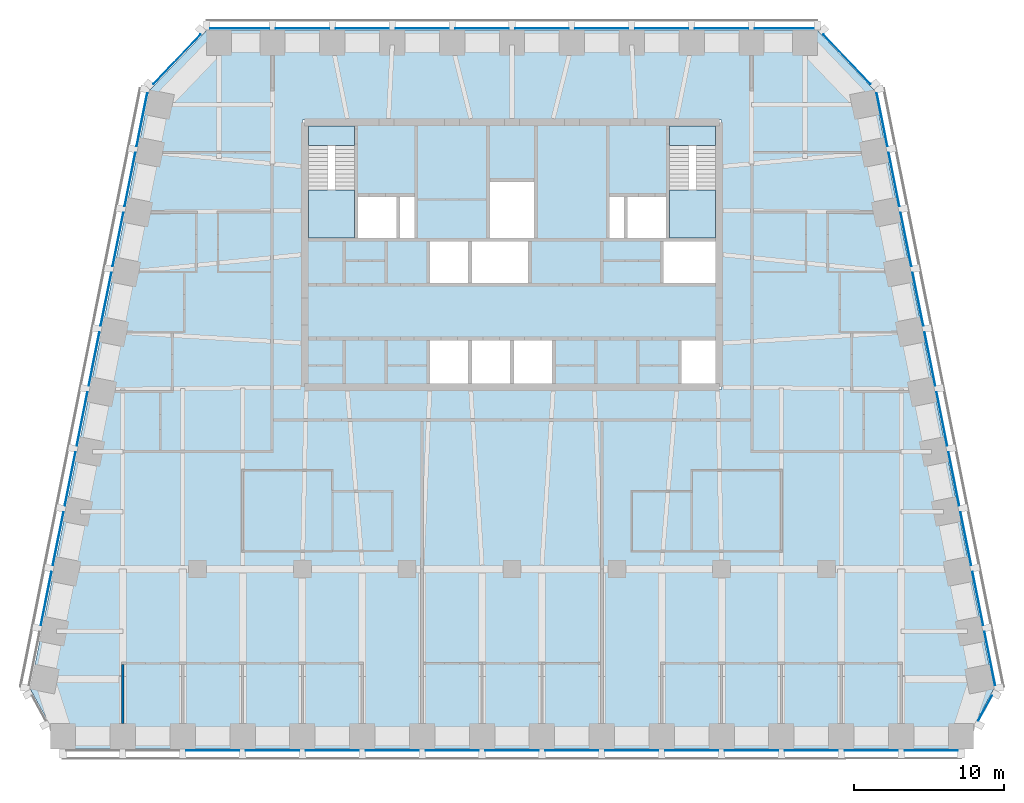
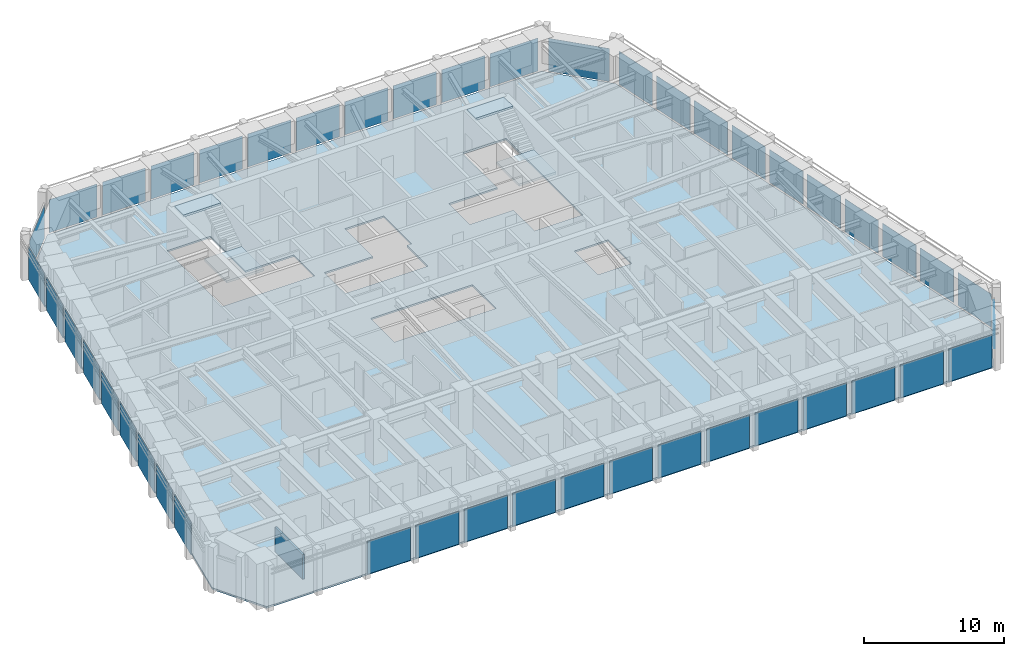
# One storey, part 5 of 12: 45 plates, 5 slabs, 1 wall, 9 elements without a shape of their own.
"""IFC4 building model written with IfcOpenShell, lengths in metres."""

from ifc_helpers import new_model, si_unit, direction, frame, frame_2d, origin, origin_2d, place, context, subcontext, project, spatial, polyline, rectangle, outline, extrude, material, layer, layer_set, type_object, element, aggregate, save


model = new_model("IFC4")

# Units and contexts
model_context = context("Model", 3, precision=1e-05, world=origin(), true_north=direction((0.0, 1.0)))
body_context = subcontext(model_context, "Body", "Model", "MODEL_VIEW")
ifc_project = project(units=[si_unit("LENGTHUNIT", "METRE"), si_unit("AREAUNIT", "SQUARE_METRE"), si_unit("VOLUMEUNIT", "CUBIC_METRE"), si_unit("PLANEANGLEUNIT", "RADIAN"), si_unit("MASSUNIT", "GRAM", prefix="KILO")], contexts=[model_context])

# Site, building, storey
site_placement = place(None, origin())
site = spatial("IfcSite", under=ifc_project, at=site_placement, CompositionType="ELEMENT")
building_placement = place(site_placement, origin())
building = spatial("IfcBuilding", under=site, at=building_placement, Name="Isbrekke Arena Tower", CompositionType="ELEMENT")
storey_placement = place(building_placement, frame((0.0, 0.0, 256.0)))
storey = spatial("IfcBuildingStorey", under=building, at=storey_placement, Name="L59", CompositionType="ELEMENT", Elevation=256.0)

# Curtain wall, plates
ifc_material_1 = material(Name="Glazed aluminium curtain wall", Category="aluminium")
curtain_wall_type = type_object("IfcCurtainWallType", Name="CWT TOWER CURTAIN WALL TOP ZONE", PredefinedType="USERDEFINED", material=ifc_material_1)
curtain_wall_1_placement = place(storey_placement, origin())
curtain_wall_1 = element("IfcCurtainWall", 1, at=curtain_wall_1_placement, inside=storey, type_object=curtain_wall_type, Name="CWT curtain wall L59-S", ObjectType="TOWER CURTAIN WALL TOP ZONE", PredefinedType="USERDEFINED")
ifc_material_2 = material(Name="Triple-glazed clear glass unit", Category="glass")
ifc_layer_1 = layer(ifc_material_2, 0.031982421875)
ifc_layer_set_1 = layer_set([ifc_layer_1], Name="CWT-P VISION PANEL")
plate_type = type_object("IfcPlateType", Name="CWT-P VISION PANEL", PredefinedType="CURTAIN_PANEL", material=ifc_layer_set_1)
plate_1_placement = place(storey_placement, frame((-20.0, -18.125, 0.02001953125), z_axis=(0.0, 0.0, 1.0), x_axis=(1.0, 0.0, 0.0)))
plate_1 = element("IfcPlate", 2, at=plate_1_placement, type_object=plate_type, Name="CWT-P panel 3", PredefinedType="CURTAIN_PANEL", context=body_context, shape_type="SweptSolid", body=[
    extrude(rectangle(XDim=3.550048828125, YDim=0.031982421875, at=origin_2d()), origin(), (0.0, 0.0, 1.0), 2.8798828125),
])
plate_2_placement = place(storey_placement, frame((-16.0, -18.125, 0.02001953125), z_axis=(0.0, 0.0, 1.0), x_axis=(1.0, 0.0, 0.0)))
plate_2 = element("IfcPlate", 3, at=plate_2_placement, type_object=plate_type, Name="CWT-P panel 4", PredefinedType="CURTAIN_PANEL", context=body_context, shape_type="SweptSolid", body=[
    extrude(rectangle(XDim=3.550048828125, YDim=0.031982421875, at=origin_2d()), origin(), (0.0, 0.0, 1.0), 2.8798828125),
])
plate_3_placement = place(storey_placement, frame((-12.0, -18.125, 0.02001953125), z_axis=(0.0, 0.0, 1.0), x_axis=(1.0, 0.0, 0.0)))
plate_3 = element("IfcPlate", 4, at=plate_3_placement, type_object=plate_type, Name="CWT-P panel 5", PredefinedType="CURTAIN_PANEL", context=body_context, shape_type="SweptSolid", body=[
    extrude(rectangle(XDim=3.550048828125, YDim=0.031982421875, at=origin_2d()), origin(), (0.0, 0.0, 1.0), 2.8798828125),
])
plate_4_placement = place(storey_placement, frame((-8.0, -18.125, 0.02001953125), z_axis=(0.0, 0.0, 1.0), x_axis=(1.0, 0.0, 0.0)))
plate_4 = element("IfcPlate", 5, at=plate_4_placement, type_object=plate_type, Name="CWT-P panel 6", PredefinedType="CURTAIN_PANEL", context=body_context, shape_type="SweptSolid", body=[
    extrude(rectangle(XDim=3.550048828125, YDim=0.031982421875, at=origin_2d()), origin(), (0.0, 0.0, 1.0), 2.8798828125),
])
plate_5_placement = place(storey_placement, frame((-4.0, -18.125, 0.02001953125), z_axis=(0.0, 0.0, 1.0), x_axis=(1.0, 0.0, 0.0)))
plate_5 = element("IfcPlate", 6, at=plate_5_placement, type_object=plate_type, Name="CWT-P panel 7", PredefinedType="CURTAIN_PANEL", context=body_context, shape_type="SweptSolid", body=[
    extrude(rectangle(XDim=3.550048828125, YDim=0.031982421875, at=origin_2d()), origin(), (0.0, 0.0, 1.0), 2.8798828125),
])
plate_6_placement = place(storey_placement, frame((0.0, -18.125, 0.02001953125), z_axis=(0.0, 0.0, 1.0), x_axis=(1.0, 0.0, 0.0)))
plate_6 = element("IfcPlate", 7, at=plate_6_placement, type_object=plate_type, Name="CWT-P panel 8", PredefinedType="CURTAIN_PANEL", context=body_context, shape_type="SweptSolid", body=[
    extrude(rectangle(XDim=3.550048828125, YDim=0.031982421875, at=origin_2d()), origin(), (0.0, 0.0, 1.0), 2.8798828125),
])
plate_7_placement = place(storey_placement, frame((4.0, -18.125, 0.02001953125), z_axis=(0.0, 0.0, 1.0), x_axis=(1.0, 0.0, 0.0)))
plate_7 = element("IfcPlate", 8, at=plate_7_placement, type_object=plate_type, Name="CWT-P panel 9", PredefinedType="CURTAIN_PANEL", context=body_context, shape_type="SweptSolid", body=[
    extrude(rectangle(XDim=3.550048828125, YDim=0.031982421875, at=origin_2d()), origin(), (0.0, 0.0, 1.0), 2.8798828125),
])
plate_8_placement = place(storey_placement, frame((8.0, -18.125, 0.02001953125), z_axis=(0.0, 0.0, 1.0), x_axis=(1.0, 0.0, 0.0)))
plate_8 = element("IfcPlate", 9, at=plate_8_placement, type_object=plate_type, Name="CWT-P panel 10", PredefinedType="CURTAIN_PANEL", context=body_context, shape_type="SweptSolid", body=[
    extrude(rectangle(XDim=3.550048828125, YDim=0.031982421875, at=origin_2d()), origin(), (0.0, 0.0, 1.0), 2.8798828125),
])
plate_9_placement = place(storey_placement, frame((12.0, -18.125, 0.02001953125), z_axis=(0.0, 0.0, 1.0), x_axis=(1.0, 0.0, 0.0)))
plate_9 = element("IfcPlate", 10, at=plate_9_placement, type_object=plate_type, Name="CWT-P panel 11", PredefinedType="CURTAIN_PANEL", context=body_context, shape_type="SweptSolid", body=[
    extrude(rectangle(XDim=3.550048828125, YDim=0.031982421875, at=origin_2d()), origin(), (0.0, 0.0, 1.0), 2.8798828125),
])
plate_10_placement = place(storey_placement, frame((16.0, -18.125, 0.02001953125), z_axis=(0.0, 0.0, 1.0), x_axis=(1.0, 0.0, 0.0)))
plate_10 = element("IfcPlate", 11, at=plate_10_placement, type_object=plate_type, Name="CWT-P panel 12", PredefinedType="CURTAIN_PANEL", context=body_context, shape_type="SweptSolid", body=[
    extrude(rectangle(XDim=3.550048828125, YDim=0.031982421875, at=origin_2d()), origin(), (0.0, 0.0, 1.0), 2.8798828125),
])
plate_11_placement = place(storey_placement, frame((20.0, -18.125, 0.02001953125), z_axis=(0.0, 0.0, 1.0), x_axis=(1.0, 0.0, 0.0)))
plate_11 = element("IfcPlate", 12, at=plate_11_placement, type_object=plate_type, Name="CWT-P panel 13", PredefinedType="CURTAIN_PANEL", context=body_context, shape_type="SweptSolid", body=[
    extrude(rectangle(XDim=3.550048828125, YDim=0.031982421875, at=origin_2d()), origin(), (0.0, 0.0, 1.0), 2.8798828125),
])
plate_12_placement = place(storey_placement, frame((24.0, -18.125, 0.02001953125), z_axis=(0.0, 0.0, 1.0), x_axis=(1.0, 0.0, 0.0)))
plate_12 = element("IfcPlate", 13, at=plate_12_placement, type_object=plate_type, Name="CWT-P panel 14", PredefinedType="CURTAIN_PANEL", context=body_context, shape_type="SweptSolid", body=[
    extrude(rectangle(XDim=3.550048828125, YDim=0.031982421875, at=origin_2d()), origin(), (0.0, 0.0, 1.0), 2.8798828125),
])
plate_13_placement = place(storey_placement, frame((28.0, -18.125, 0.02001953125), z_axis=(0.0, 0.0, 1.0), x_axis=(1.0, 0.0, 0.0)))
plate_13 = element("IfcPlate", 14, at=plate_13_placement, type_object=plate_type, Name="CWT-P panel 15", PredefinedType="CURTAIN_PANEL", context=body_context, shape_type="SweptSolid", body=[
    extrude(rectangle(XDim=3.550048828125, YDim=0.031982421875, at=origin_2d()), origin(), (0.0, 0.0, 1.0), 2.8798828125),
])
aggregate(curtain_wall_1, [plate_1, plate_2, plate_3, plate_4, plate_5, plate_6, plate_7, plate_8, plate_9, plate_10, plate_11, plate_12, plate_13])

# Curtain wall, plate
curtain_wall_2_placement = place(storey_placement, origin())
curtain_wall_2 = element("IfcCurtainWall", 15, at=curtain_wall_2_placement, inside=storey, type_object=curtain_wall_type, Name="CWT curtain wall L59-SE", ObjectType="TOWER CURTAIN WALL TOP ZONE", PredefinedType="USERDEFINED")
plate_14_placement = place(storey_placement, frame((31.604248046875, -15.29052734375, 0.02001953125), z_axis=(0.0, 0.0, 1.0), x_axis=(0.481918749773, 0.876215908676, 0.0)))
plate_14 = element("IfcPlate", 16, at=plate_14_placement, type_object=plate_type, Name="CWT-P panel 1", PredefinedType="CURTAIN_PANEL", context=body_context, shape_type="SweptSolid", body=[
    extrude(rectangle(XDim=1.876220703125, YDim=0.031982421875, at=origin_2d()), origin(), (0.0, 0.0, 1.0), 2.8798828125),
])
aggregate(curtain_wall_2, [plate_14])

# Curtain wall, plates
curtain_wall_3_placement = place(storey_placement, origin())
curtain_wall_3 = element("IfcCurtainWall", 17, at=curtain_wall_3_placement, inside=storey, type_object=curtain_wall_type, Name="CWT curtain wall L59-E", ObjectType="TOWER CURTAIN WALL TOP ZONE", PredefinedType="USERDEFINED")
plate_15_placement = place(storey_placement, frame((31.922607421875, -11.9755859375, 0.02001953125), z_axis=(0.0, 0.0, 1.0), x_axis=(-0.196116135138, 0.980580675691, 0.0)))
plate_15 = element("IfcPlate", 18, at=plate_15_placement, type_object=plate_type, Name="CWT-P panel 1", PredefinedType="CURTAIN_PANEL", context=body_context, shape_type="SweptSolid", body=[
    extrude(rectangle(XDim=3.629150390625, YDim=0.031982421875, at=origin_2d()), origin(), (0.0, 0.0, 1.0), 2.8798828125),
])
plate_16_placement = place(storey_placement, frame((31.12255859375, -7.9755859375, 0.02001953125), z_axis=(0.0, 0.0, 1.0), x_axis=(-0.196116135138, 0.980580675691, 0.0)))
plate_16 = element("IfcPlate", 19, at=plate_16_placement, type_object=plate_type, Name="CWT-P panel 2", PredefinedType="CURTAIN_PANEL", context=body_context, shape_type="SweptSolid", body=[
    extrude(rectangle(XDim=3.629150390625, YDim=0.031982421875, at=origin_2d()), origin(), (0.0, 0.0, 1.0), 2.8798828125),
])
plate_17_placement = place(storey_placement, frame((30.322509765625, -3.9755859375, 0.02001953125), z_axis=(0.0, 0.0, 1.0), x_axis=(-0.196116135138, 0.980580675691, 0.0)))
plate_17 = element("IfcPlate", 20, at=plate_17_placement, type_object=plate_type, Name="CWT-P panel 3", PredefinedType="CURTAIN_PANEL", context=body_context, shape_type="SweptSolid", body=[
    extrude(rectangle(XDim=3.629150390625, YDim=0.031982421875, at=origin_2d()), origin(), (0.0, 0.0, 1.0), 2.8798828125),
])
plate_18_placement = place(storey_placement, frame((29.5224609375, 0.0244140625, 0.02001953125), z_axis=(0.0, 0.0, 1.0), x_axis=(-0.196116135138, 0.980580675691, 0.0)))
plate_18 = element("IfcPlate", 21, at=plate_18_placement, type_object=plate_type, Name="CWT-P panel 4", PredefinedType="CURTAIN_PANEL", context=body_context, shape_type="SweptSolid", body=[
    extrude(rectangle(XDim=3.629150390625, YDim=0.031982421875, at=origin_2d()), origin(), (0.0, 0.0, 1.0), 2.8798828125),
])
plate_19_placement = place(storey_placement, frame((28.72265625, 4.0244140625, 0.02001953125), z_axis=(0.0, 0.0, 1.0), x_axis=(-0.196116135138, 0.980580675691, 0.0)))
plate_19 = element("IfcPlate", 22, at=plate_19_placement, type_object=plate_type, Name="CWT-P panel 5", PredefinedType="CURTAIN_PANEL", context=body_context, shape_type="SweptSolid", body=[
    extrude(rectangle(XDim=3.629150390625, YDim=0.031982421875, at=origin_2d()), origin(), (0.0, 0.0, 1.0), 2.8798828125),
])
plate_20_placement = place(storey_placement, frame((27.922607421875, 8.0244140625, 0.02001953125), z_axis=(0.0, 0.0, 1.0), x_axis=(-0.196116135138, 0.980580675691, 0.0)))
plate_20 = element("IfcPlate", 23, at=plate_20_placement, type_object=plate_type, Name="CWT-P panel 6", PredefinedType="CURTAIN_PANEL", context=body_context, shape_type="SweptSolid", body=[
    extrude(rectangle(XDim=3.629150390625, YDim=0.031982421875, at=origin_2d()), origin(), (0.0, 0.0, 1.0), 2.8798828125),
])
plate_21_placement = place(storey_placement, frame((27.12255859375, 12.0244140625, 0.02001953125), z_axis=(0.0, 0.0, 1.0), x_axis=(-0.196116135138, 0.980580675691, 0.0)))
plate_21 = element("IfcPlate", 24, at=plate_21_placement, type_object=plate_type, Name="CWT-P panel 7", PredefinedType="CURTAIN_PANEL", context=body_context, shape_type="SweptSolid", body=[
    extrude(rectangle(XDim=3.629150390625, YDim=0.031982421875, at=origin_2d()), origin(), (0.0, 0.0, 1.0), 2.8798828125),
])
plate_22_placement = place(storey_placement, frame((26.322509765625, 16.0244140625, 0.02001953125), z_axis=(0.0, 0.0, 1.0), x_axis=(-0.196116135138, 0.980580675691, 0.0)))
plate_22 = element("IfcPlate", 25, at=plate_22_placement, type_object=plate_type, Name="CWT-P panel 8", PredefinedType="CURTAIN_PANEL", context=body_context, shape_type="SweptSolid", body=[
    extrude(rectangle(XDim=3.629150390625, YDim=0.031982421875, at=origin_2d()), origin(), (0.0, 0.0, 1.0), 2.8798828125),
])
plate_23_placement = place(storey_placement, frame((25.5224609375, 20.0244140625, 0.02001953125), z_axis=(0.0, 0.0, 1.0), x_axis=(-0.196116135138, 0.980580675691, 0.0)))
plate_23 = element("IfcPlate", 26, at=plate_23_placement, type_object=plate_type, Name="CWT-P panel 9", PredefinedType="CURTAIN_PANEL", context=body_context, shape_type="SweptSolid", body=[
    extrude(rectangle(XDim=3.629150390625, YDim=0.031982421875, at=origin_2d()), origin(), (0.0, 0.0, 1.0), 2.8798828125),
])
plate_24_placement = place(storey_placement, frame((24.72265625, 24.0244140625, 0.02001953125), z_axis=(0.0, 0.0, 1.0), x_axis=(-0.196116135138, 0.980580675691, 0.0)))
plate_24 = element("IfcPlate", 27, at=plate_24_placement, type_object=plate_type, Name="CWT-P panel 10", PredefinedType="CURTAIN_PANEL", context=body_context, shape_type="SweptSolid", body=[
    extrude(rectangle(XDim=3.629150390625, YDim=0.031982421875, at=origin_2d()), origin(), (0.0, 0.0, 1.0), 2.8798828125),
])
aggregate(curtain_wall_3, [plate_15, plate_16, plate_17, plate_18, plate_19, plate_20, plate_21, plate_22, plate_23, plate_24])

# Curtain wall, plate
curtain_wall_4_placement = place(storey_placement, origin())
curtain_wall_4 = element("IfcCurtainWall", 28, at=curtain_wall_4_placement, inside=storey, type_object=curtain_wall_type, Name="CWT curtain wall L59-EN", ObjectType="TOWER CURTAIN WALL TOP ZONE", PredefinedType="USERDEFINED")
plate_25_placement = place(storey_placement, frame((22.374755859375, 28.06640625, 0.02001953125), z_axis=(0.0, 0.0, 1.0), x_axis=(-0.68874946192, 0.72499943359, 0.0)))
plate_25 = element("IfcPlate", 29, at=plate_25_placement, type_object=plate_type, Name="CWT-P panel 1", PredefinedType="CURTAIN_PANEL", context=body_context, shape_type="SweptSolid", body=[
    extrude(rectangle(XDim=4.558349609375, YDim=0.031982421875, at=origin_2d()), origin(), (0.0, 0.0, 1.0), 2.8798828125),
])
aggregate(curtain_wall_4, [plate_25])

# Curtain wall, plates
curtain_wall_5_placement = place(storey_placement, origin())
curtain_wall_5 = element("IfcCurtainWall", 30, at=curtain_wall_5_placement, inside=storey, type_object=curtain_wall_type, Name="CWT curtain wall L59-N", ObjectType="TOWER CURTAIN WALL TOP ZONE", PredefinedType="USERDEFINED")
plate_26_placement = place(storey_placement, frame((18.199951171875, 30.125, 0.02001953125), z_axis=(0.0, 0.0, 1.0), x_axis=(-1.0, 0.0, 0.0)))
plate_26 = element("IfcPlate", 31, at=plate_26_placement, type_object=plate_type, Name="CWT-P panel 1", PredefinedType="CURTAIN_PANEL", context=body_context, shape_type="SweptSolid", body=[
    extrude(rectangle(XDim=3.949951171875, YDim=0.031982421875, at=origin_2d()), origin(), (0.0, 0.0, 1.0), 2.8798828125),
])
plate_27_placement = place(storey_placement, frame((14.0, 30.125, 0.02001953125), z_axis=(0.0, 0.0, 1.0), x_axis=(-1.0, 0.0, 0.0)))
plate_27 = element("IfcPlate", 32, at=plate_27_placement, type_object=plate_type, Name="CWT-P panel 2", PredefinedType="CURTAIN_PANEL", context=body_context, shape_type="SweptSolid", body=[
    extrude(rectangle(XDim=3.550048828125, YDim=0.031982421875, at=origin_2d()), origin(), (0.0, 0.0, 1.0), 2.8798828125),
])
plate_28_placement = place(storey_placement, frame((10.0, 30.125, 0.02001953125), z_axis=(0.0, 0.0, 1.0), x_axis=(-1.0, 0.0, 0.0)))
plate_28 = element("IfcPlate", 33, at=plate_28_placement, type_object=plate_type, Name="CWT-P panel 3", PredefinedType="CURTAIN_PANEL", context=body_context, shape_type="SweptSolid", body=[
    extrude(rectangle(XDim=3.550048828125, YDim=0.031982421875, at=origin_2d()), origin(), (0.0, 0.0, 1.0), 2.8798828125),
])
plate_29_placement = place(storey_placement, frame((6.0, 30.125, 0.02001953125), z_axis=(0.0, 0.0, 1.0), x_axis=(-1.0, 0.0, 0.0)))
plate_29 = element("IfcPlate", 34, at=plate_29_placement, type_object=plate_type, Name="CWT-P panel 4", PredefinedType="CURTAIN_PANEL", context=body_context, shape_type="SweptSolid", body=[
    extrude(rectangle(XDim=3.550048828125, YDim=0.031982421875, at=origin_2d()), origin(), (0.0, 0.0, 1.0), 2.8798828125),
])
plate_30_placement = place(storey_placement, frame((2.0, 30.125, 0.02001953125), z_axis=(0.0, 0.0, 1.0), x_axis=(-1.0, 0.0, 0.0)))
plate_30 = element("IfcPlate", 35, at=plate_30_placement, type_object=plate_type, Name="CWT-P panel 5", PredefinedType="CURTAIN_PANEL", context=body_context, shape_type="SweptSolid", body=[
    extrude(rectangle(XDim=3.550048828125, YDim=0.031982421875, at=origin_2d()), origin(), (0.0, 0.0, 1.0), 2.8798828125),
])
plate_31_placement = place(storey_placement, frame((-2.0, 30.125, 0.02001953125), z_axis=(0.0, 0.0, 1.0), x_axis=(-1.0, 0.0, 0.0)))
plate_31 = element("IfcPlate", 36, at=plate_31_placement, type_object=plate_type, Name="CWT-P panel 6", PredefinedType="CURTAIN_PANEL", context=body_context, shape_type="SweptSolid", body=[
    extrude(rectangle(XDim=3.550048828125, YDim=0.031982421875, at=origin_2d()), origin(), (0.0, 0.0, 1.0), 2.8798828125),
])
plate_32_placement = place(storey_placement, frame((-6.0, 30.125, 0.02001953125), z_axis=(0.0, 0.0, 1.0), x_axis=(-1.0, 0.0, 0.0)))
plate_32 = element("IfcPlate", 37, at=plate_32_placement, type_object=plate_type, Name="CWT-P panel 7", PredefinedType="CURTAIN_PANEL", context=body_context, shape_type="SweptSolid", body=[
    extrude(rectangle(XDim=3.550048828125, YDim=0.031982421875, at=origin_2d()), origin(), (0.0, 0.0, 1.0), 2.8798828125),
])
plate_33_placement = place(storey_placement, frame((-10.0, 30.125, 0.02001953125), z_axis=(0.0, 0.0, 1.0), x_axis=(-1.0, 0.0, 0.0)))
plate_33 = element("IfcPlate", 38, at=plate_33_placement, type_object=plate_type, Name="CWT-P panel 8", PredefinedType="CURTAIN_PANEL", context=body_context, shape_type="SweptSolid", body=[
    extrude(rectangle(XDim=3.550048828125, YDim=0.031982421875, at=origin_2d()), origin(), (0.0, 0.0, 1.0), 2.8798828125),
])
plate_34_placement = place(storey_placement, frame((-14.0, 30.125, 0.02001953125), z_axis=(0.0, 0.0, 1.0), x_axis=(-1.0, 0.0, 0.0)))
plate_34 = element("IfcPlate", 39, at=plate_34_placement, type_object=plate_type, Name="CWT-P panel 9", PredefinedType="CURTAIN_PANEL", context=body_context, shape_type="SweptSolid", body=[
    extrude(rectangle(XDim=3.550048828125, YDim=0.031982421875, at=origin_2d()), origin(), (0.0, 0.0, 1.0), 2.8798828125),
])
plate_35_placement = place(storey_placement, frame((-18.199951171875, 30.125, 0.02001953125), z_axis=(0.0, 0.0, 1.0), x_axis=(-1.0, 0.0, 0.0)))
plate_35 = element("IfcPlate", 40, at=plate_35_placement, type_object=plate_type, Name="CWT-P panel 10", PredefinedType="CURTAIN_PANEL", context=body_context, shape_type="SweptSolid", body=[
    extrude(rectangle(XDim=3.949951171875, YDim=0.031982421875, at=origin_2d()), origin(), (0.0, 0.0, 1.0), 2.8798828125),
])
aggregate(curtain_wall_5, [plate_26, plate_27, plate_28, plate_29, plate_30, plate_31, plate_32, plate_33, plate_34, plate_35])

# Curtain wall, plate
curtain_wall_6_placement = place(storey_placement, origin())
curtain_wall_6 = element("IfcCurtainWall", 41, at=curtain_wall_6_placement, inside=storey, type_object=curtain_wall_type, Name="CWT curtain wall L59-NW", ObjectType="TOWER CURTAIN WALL TOP ZONE", PredefinedType="USERDEFINED")
plate_36_placement = place(storey_placement, frame((-22.37451171875, 28.066650390625, 0.02001953125), z_axis=(0.0, 0.0, 1.0), x_axis=(-0.68874946192, -0.72499943359, 0.0)))
plate_36 = element("IfcPlate", 42, at=plate_36_placement, type_object=plate_type, Name="CWT-P panel 1", PredefinedType="CURTAIN_PANEL", context=body_context, shape_type="SweptSolid", body=[
    extrude(rectangle(XDim=4.557373046875, YDim=0.031982421875, at=origin_2d()), origin(), (0.0, 0.0, 1.0), 2.8798828125),
])
aggregate(curtain_wall_6, [plate_36])

# Curtain wall, plates
curtain_wall_7_placement = place(storey_placement, origin())
curtain_wall_7 = element("IfcCurtainWall", 43, at=curtain_wall_7_placement, inside=storey, type_object=curtain_wall_type, Name="CWT curtain wall L59-W", ObjectType="TOWER CURTAIN WALL TOP ZONE", PredefinedType="USERDEFINED")
plate_37_placement = place(storey_placement, frame((-24.72265625, 24.0244140625, 0.02001953125), z_axis=(0.0, 0.0, 1.0), x_axis=(-0.196116135138, -0.980580675691, 0.0)))
plate_37 = element("IfcPlate", 44, at=plate_37_placement, type_object=plate_type, Name="CWT-P panel 1", PredefinedType="CURTAIN_PANEL", context=body_context, shape_type="SweptSolid", body=[
    extrude(rectangle(XDim=3.629150390625, YDim=0.031982421875, at=origin_2d()), origin(), (0.0, 0.0, 1.0), 2.8798828125),
])
plate_38_placement = place(storey_placement, frame((-25.5224609375, 20.0244140625, 0.02001953125), z_axis=(0.0, 0.0, 1.0), x_axis=(-0.196116135138, -0.980580675691, 0.0)))
plate_38 = element("IfcPlate", 45, at=plate_38_placement, type_object=plate_type, Name="CWT-P panel 2", PredefinedType="CURTAIN_PANEL", context=body_context, shape_type="SweptSolid", body=[
    extrude(rectangle(XDim=3.629150390625, YDim=0.031982421875, at=origin_2d()), origin(), (0.0, 0.0, 1.0), 2.8798828125),
])
plate_39_placement = place(storey_placement, frame((-26.322509765625, 16.0244140625, 0.02001953125), z_axis=(0.0, 0.0, 1.0), x_axis=(-0.196116135138, -0.980580675691, 0.0)))
plate_39 = element("IfcPlate", 46, at=plate_39_placement, type_object=plate_type, Name="CWT-P panel 3", PredefinedType="CURTAIN_PANEL", context=body_context, shape_type="SweptSolid", body=[
    extrude(rectangle(XDim=3.629150390625, YDim=0.031982421875, at=origin_2d()), origin(), (0.0, 0.0, 1.0), 2.8798828125),
])
plate_40_placement = place(storey_placement, frame((-27.12255859375, 12.0244140625, 0.02001953125), z_axis=(0.0, 0.0, 1.0), x_axis=(-0.196116135138, -0.980580675691, 0.0)))
plate_40 = element("IfcPlate", 47, at=plate_40_placement, type_object=plate_type, Name="CWT-P panel 4", PredefinedType="CURTAIN_PANEL", context=body_context, shape_type="SweptSolid", body=[
    extrude(rectangle(XDim=3.629150390625, YDim=0.031982421875, at=origin_2d()), origin(), (0.0, 0.0, 1.0), 2.8798828125),
])
plate_41_placement = place(storey_placement, frame((-27.922607421875, 8.0244140625, 0.02001953125), z_axis=(0.0, 0.0, 1.0), x_axis=(-0.196116135138, -0.980580675691, 0.0)))
plate_41 = element("IfcPlate", 48, at=plate_41_placement, type_object=plate_type, Name="CWT-P panel 5", PredefinedType="CURTAIN_PANEL", context=body_context, shape_type="SweptSolid", body=[
    extrude(rectangle(XDim=3.629150390625, YDim=0.031982421875, at=origin_2d()), origin(), (0.0, 0.0, 1.0), 2.8798828125),
])
plate_42_placement = place(storey_placement, frame((-28.72265625, 4.0244140625, 0.02001953125), z_axis=(0.0, 0.0, 1.0), x_axis=(-0.196116135138, -0.980580675691, 0.0)))
plate_42 = element("IfcPlate", 49, at=plate_42_placement, type_object=plate_type, Name="CWT-P panel 6", PredefinedType="CURTAIN_PANEL", context=body_context, shape_type="SweptSolid", body=[
    extrude(rectangle(XDim=3.629150390625, YDim=0.031982421875, at=origin_2d()), origin(), (0.0, 0.0, 1.0), 2.8798828125),
])
plate_43_placement = place(storey_placement, frame((-29.5224609375, 0.0244140625, 0.02001953125), z_axis=(0.0, 0.0, 1.0), x_axis=(-0.196116135138, -0.980580675691, 0.0)))
plate_43 = element("IfcPlate", 50, at=plate_43_placement, type_object=plate_type, Name="CWT-P panel 7", PredefinedType="CURTAIN_PANEL", context=body_context, shape_type="SweptSolid", body=[
    extrude(rectangle(XDim=3.629150390625, YDim=0.031982421875, at=origin_2d()), origin(), (0.0, 0.0, 1.0), 2.8798828125),
])
plate_44_placement = place(storey_placement, frame((-30.322509765625, -3.9755859375, 0.02001953125), z_axis=(0.0, 0.0, 1.0), x_axis=(-0.196116135138, -0.980580675691, 0.0)))
plate_44 = element("IfcPlate", 51, at=plate_44_placement, type_object=plate_type, Name="CWT-P panel 8", PredefinedType="CURTAIN_PANEL", context=body_context, shape_type="SweptSolid", body=[
    extrude(rectangle(XDim=3.629150390625, YDim=0.031982421875, at=origin_2d()), origin(), (0.0, 0.0, 1.0), 2.8798828125),
])
plate_45_placement = place(storey_placement, frame((-31.12255859375, -7.9755859375, 0.02001953125), z_axis=(0.0, 0.0, 1.0), x_axis=(-0.196116135138, -0.980580675691, 0.0)))
plate_45 = element("IfcPlate", 52, at=plate_45_placement, type_object=plate_type, Name="CWT-P panel 9", PredefinedType="CURTAIN_PANEL", context=body_context, shape_type="SweptSolid", body=[
    extrude(rectangle(XDim=3.629150390625, YDim=0.031982421875, at=origin_2d()), origin(), (0.0, 0.0, 1.0), 2.8798828125),
])
aggregate(curtain_wall_7, [plate_37, plate_38, plate_39, plate_40, plate_41, plate_42, plate_43, plate_44, plate_45])

# Slab
ifc_material_3 = material(Name="Concrete B35 (C35/45)", Category="concrete")
ifc_layer_2 = layer(ifc_material_3, 0.14990234375)
ifc_layer_set_2 = layer_set([ifc_layer_2], Name="FS1 COMPOSITE FLOOR 150")
slab_type_1 = type_object("IfcSlabType", Name="FS1 COMPOSITE FLOOR 150", PredefinedType="FLOOR", material=ifc_layer_set_2)
slab_1_placement = place(storey_placement, frame((0.0, 0.0, -0.14990234375)))
element("IfcSlab", 53, at=slab_1_placement, inside=storey, type_object=slab_type_1, Name="FS1 floor slab L59", PredefinedType="FLOOR", context=body_context, shape_type="SweptSolid", body=[
    extrude(outline(polyline([(-30.0, -18.0), (30.0, -18.0), (32.199951171875, -14.0), (24.199951171875, 26.0), (20.39990234375, 30.0), (-20.39990234375, 30.0), (-24.199951171875, 26.0), (-32.199951171875, -14.0), (-30.0, -18.0)]), holes=[polyline([(2.800048828125, 9.39990234375), (2.800048828125, 6.0), (-5.60009765625, 6.0), (-5.60009765625, 9.39990234375), (2.800048828125, 9.39990234375)]), polyline([(11.199951171875, 6.0), (11.199951171875, 9.39990234375), (14.0, 9.39990234375), (14.0, 6.0), (11.199951171875, 6.0)]), polyline([(-5.60009765625, 13.0), (-5.60009765625, 16.0), (-1.60009765625, 16.0), (-1.60009765625, 20.0), (1.60009765625, 20.0), (1.60009765625, 16.0), (1.199951171875, 16.0), (1.199951171875, 13.0), (-5.60009765625, 13.0)]), polyline([(14.0, 13.0), (10.0, 13.0), (10.0, 16.0), (6.39990234375, 16.0), (6.39990234375, 19.0), (10.39990234375, 19.0), (10.39990234375, 24.0), (14.0, 24.0), (14.0, 13.0)]), polyline([(-6.39990234375, 19.0), (-6.39990234375, 16.0), (-14.0, 16.0), (-14.0, 24.0), (-10.39990234375, 24.0), (-10.39990234375, 19.0), (-6.39990234375, 19.0)])]), origin(), (0.0, 0.0, 1.0), 0.14990234375),
])

# Stair, slabs
ifc_material_4 = material(Name="Concrete B45 (C45/55) precast", Category="concrete")
stair_type = type_object("IfcStairType", Name="ST40 STAIR 1300 WIDE, 24 RISERS 167", PredefinedType="HALF_TURN_STAIR", material=ifc_material_4)
stair_1_placement = place(storey_placement, origin())
stair_1 = element("IfcStair", 54, at=stair_1_placement, inside=storey, type_object=stair_type, Name="ST1 stair L59", PredefinedType="HALF_TURN_STAIR")
ifc_material_5 = material(Name="Concrete B35 (C35/45)", Category="concrete")
ifc_layer_3 = layer(ifc_material_5, 0.199951171875)
ifc_layer_set_3 = layer_set([ifc_layer_3], Name="SL1 STAIR LANDING 200")
slab_type_2 = type_object("IfcSlabType", Name="SL1 STAIR LANDING 200", PredefinedType="LANDING", material=ifc_layer_set_3)
slab_2_placement = place(storey_placement, frame((0.0, 0.0, 1.800048828125)))
slab_2 = element("IfcSlab", 55, at=slab_2_placement, type_object=slab_type_2, Name="ST1 landing 1", PredefinedType="LANDING", context=body_context, shape_type="SweptSolid", body=[
    extrude(outline(polyline([(-13.60009765625, 16.125), (-10.52490234375, 16.125), (-10.52490234375, 19.330078125), (-13.60009765625, 19.330078125), (-13.60009765625, 16.125)])), origin(), (0.0, 0.0, 1.0), 0.199951171875),
])
slab_3_placement = place(storey_placement, frame((0.0, 0.0, 3.800048828125)))
slab_3 = element("IfcSlab", 56, at=slab_3_placement, type_object=slab_type_2, Name="ST1 landing 2", PredefinedType="LANDING", context=body_context, shape_type="SweptSolid", body=[
    extrude(outline(polyline([(-13.60009765625, 22.300048828125), (-10.52490234375, 22.300048828125), (-10.52490234375, 23.60009765625), (-13.60009765625, 23.60009765625), (-13.60009765625, 22.300048828125)])), origin(), (0.0, 0.0, 1.0), 0.199951171875),
])
aggregate(stair_1, [slab_2, slab_3])

stair_2_placement = place(storey_placement, origin())
stair_2 = element("IfcStair", 57, at=stair_2_placement, inside=storey, type_object=stair_type, Name="ST2 stair L59", PredefinedType="HALF_TURN_STAIR")
slab_4_placement = place(storey_placement, frame((0.0, 0.0, 1.800048828125)))
slab_4 = element("IfcSlab", 58, at=slab_4_placement, type_object=slab_type_2, Name="ST2 landing 1", PredefinedType="LANDING", context=body_context, shape_type="SweptSolid", body=[
    extrude(outline(polyline([(10.52490234375, 16.125), (13.60009765625, 16.125), (13.60009765625, 19.330078125), (10.52490234375, 19.330078125), (10.52490234375, 16.125)])), origin(), (0.0, 0.0, 1.0), 0.199951171875),
])
slab_5_placement = place(storey_placement, frame((0.0, 0.0, 3.800048828125)))
slab_5 = element("IfcSlab", 59, at=slab_5_placement, type_object=slab_type_2, Name="ST2 landing 2", PredefinedType="LANDING", context=body_context, shape_type="SweptSolid", body=[
    extrude(outline(polyline([(10.52490234375, 22.300048828125), (13.60009765625, 22.300048828125), (13.60009765625, 23.60009765625), (10.52490234375, 23.60009765625), (10.52490234375, 22.300048828125)])), origin(), (0.0, 0.0, 1.0), 0.199951171875),
])
aggregate(stair_2, [slab_4, slab_5])

# Wall
ifc_material_6 = material(Name="Gypsum board partition on steel studs", Category="steel")
ifc_layer_4 = layer(ifc_material_6, 0.14990234375)
ifc_layer_set_4 = layer_set([ifc_layer_4], Name="IW1 PARTITION 150")
wall_type = type_object("IfcWallType", Name="IW1 PARTITION 150", PredefinedType="PARTITIONING", material=ifc_layer_set_4)
wall_placement = place(storey_placement, frame((-26.0, -16.324951171875, 0.0), z_axis=(0.0, 0.0, 1.0), x_axis=(0.0, 1.0, 0.0)))
element("IfcWall", 60, at=wall_placement, inside=storey, type_object=wall_type, Name="IW1 partition 150 L59", PredefinedType="PARTITIONING", context=body_context, shape_type="SweptSolid", body=[
    extrude(rectangle(XDim=3.949951171875, YDim=0.14990234375, at=frame_2d((1.97509765625, 0.0))), origin(), (0.0, 0.0, 1.0), 2.14990234375),
])

save(model, "model.ifc")
